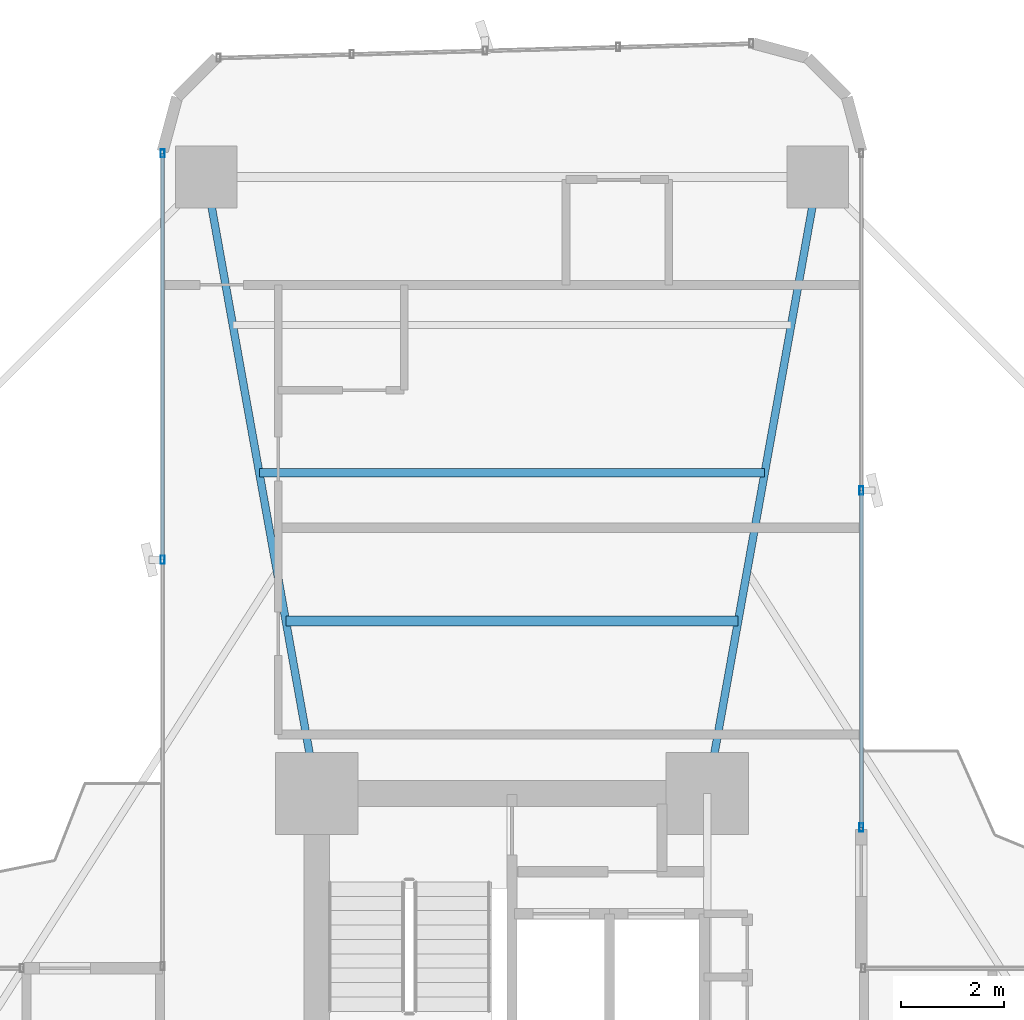
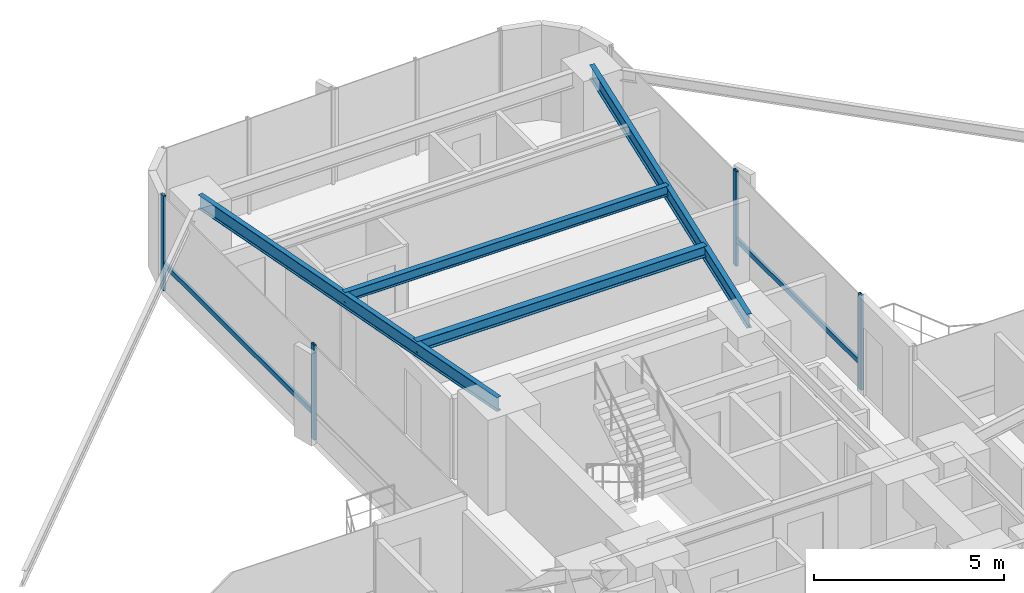
# One storey, part 18 of 26: 6 members, 4 beams, 2 elements without a shape of their own.
"""IFC4 building model written with IfcOpenShell, lengths in metres."""

from ifc_helpers import new_model, si_unit, direction, frame, origin, origin_2d, place, context, subcontext, project, spatial, hollow_rectangle, i_section, extrude, source, transform, mapped, material, material_profile, profile_set, type_object, element, aggregate, save


model = new_model("IFC4")

# Units and contexts
model_context = context("Model", 3, precision=1e-05, world=origin(), true_north=direction((0.0, 1.0)))
body_context = subcontext(model_context, "Body", "Model", "MODEL_VIEW")
ifc_project = project(units=[si_unit("LENGTHUNIT", "METRE"), si_unit("AREAUNIT", "SQUARE_METRE"), si_unit("VOLUMEUNIT", "CUBIC_METRE"), si_unit("PLANEANGLEUNIT", "RADIAN"), si_unit("MASSUNIT", "GRAM", prefix="KILO")], contexts=[model_context])

# Site, building, storey
site_placement = place(None, origin())
site = spatial("IfcSite", under=ifc_project, at=site_placement, CompositionType="ELEMENT")
building_placement = place(site_placement, origin())
building = spatial("IfcBuilding", under=site, at=building_placement, Name="Sahyath Konkavel Grand Hotel", CompositionType="ELEMENT")
storey_placement = place(building_placement, frame((0.0, 0.0, 43.199951171875)))
storey = spatial("IfcBuildingStorey", under=building, at=storey_placement, Name="L11", CompositionType="ELEMENT", Elevation=43.199951171875)

# Beams
ifc_material_1 = material(Name="Steel E350", Category="steel")
ifc_material_profile_1 = material_profile(ifc_material_1, i_section(OverallWidth=0.14990234375, OverallDepth=0.449951171875, WebThickness=0.009521484375, FlangeThickness=0.017333984375, FilletRadius=0.014892578125, at=origin_2d()), Name="ISMB 450")
ifc_profile_set_1 = profile_set([ifc_material_profile_1], Name="Steel E350")
beam_type_1 = type_object("IfcBeamType", Name="BM-ISMB450", PredefinedType="BEAM", material=ifc_profile_set_1)
shared_shape_1 = source(origin(), body_context, "Body", "SweptSolid", [
    extrude(i_section(OverallWidth=0.14990234375, OverallDepth=0.449951171875, WebThickness=0.009521484375, FlangeThickness=0.017333984375, FilletRadius=0.014892578125, at=origin_2d()), origin(), (0.0, 0.0, 1.0), 12.191162109375),
])
for number, where, z_axis, x_axis, name in (
    (1, (3.800048828125, 10.199951171875, 2.824951171875), (0.176350650305, 0.984327409014, 0.0), (-0.984327409014, 0.176350650305, 0.0), "L11 Cruciform Radial Girder NA"),
    (2, (-3.800048828125, 10.199951171875, 2.824951171875), (-0.176350650305, 0.984327409014, 0.0), (-0.984327409014, -0.176350650305, 0.0), "L11 Cruciform Radial Girder NB"),
):
    element("IfcBeam", number, at=place(storey_placement, frame(where, z_axis=z_axis, x_axis=x_axis)), inside=storey, type_object=beam_type_1, Name=name, PredefinedType="BEAM", context=body_context, shape_type="MappedRepresentation", body=[
        mapped(shared_shape_1, transform((0.0, 0.0, 0.0), scale=1.0)),
    ])
ifc_material_profile_2 = material_profile(ifc_material_1, i_section(OverallWidth=0.199951171875, OverallDepth=0.35009765625, WebThickness=0.008056640625, FlangeThickness=0.011474609375, FilletRadius=0.013916015625, at=origin_2d()), Name="ISWB 350")
ifc_profile_set_2 = profile_set([ifc_material_profile_2], Name="Steel E350")
beam_type_2 = type_object("IfcBeamType", Name="BM-ISWB350", PredefinedType="BEAM", material=ifc_profile_set_2)
shared_shape_2 = source(origin(), body_context, "Body", "SweptSolid", [
    extrude(i_section(OverallWidth=0.199951171875, OverallDepth=0.35009765625, WebThickness=0.008056640625, FlangeThickness=0.011474609375, FilletRadius=0.013916015625, at=origin_2d()), origin(), (0.0, 0.0, 1.0), 8.80419921875),
])
beam_1_placement = place(storey_placement, frame((4.402099609375, 13.56005859375, 2.875), z_axis=(-1.0, 0.0, 0.0), x_axis=(0.0, -1.0, 0.0)))
element("IfcBeam", 3, at=beam_1_placement, inside=storey, type_object=beam_type_2, Name="L11 Secondary Floor Beam N-1", PredefinedType="BEAM", context=body_context, shape_type="MappedRepresentation", body=[
    mapped(shared_shape_2, transform((0.0, 0.0, 0.0), scale=1.0)),
])
ifc_material_profile_3 = material_profile(ifc_material_1, i_section(OverallWidth=0.1650390625, OverallDepth=0.324951171875, WebThickness=0.007080078125, FlangeThickness=0.009765625, FilletRadius=0.014892578125, at=origin_2d()), Name="ISLB 325")
ifc_profile_set_3 = profile_set([ifc_material_profile_3], Name="Steel E350")
beam_type_3 = type_object("IfcBeamType", Name="BM-ISLB325", PredefinedType="BEAM", material=ifc_profile_set_3)
shared_shape_3 = source(origin(), body_context, "Body", "SweptSolid", [
    extrude(i_section(OverallWidth=0.1650390625, OverallDepth=0.324951171875, WebThickness=0.007080078125, FlangeThickness=0.009765625, FilletRadius=0.014892578125, at=origin_2d()), origin(), (0.0, 0.0, 1.0), 9.8359375),
])
beam_2_placement = place(storey_placement, frame((4.91796875, 16.43994140625, 2.887451171875), z_axis=(-1.0, 0.0, 0.0), x_axis=(0.0, -1.0, 0.0)))
element("IfcBeam", 4, at=beam_2_placement, inside=storey, type_object=beam_type_3, Name="L11 Secondary Floor Beam N-2", PredefinedType="BEAM", context=body_context, shape_type="MappedRepresentation", body=[
    mapped(shared_shape_3, transform((0.0, 0.0, 0.0), scale=1.0)),
])

# Curtain wall, member
ifc_material_2 = material(Name="Anodised Bronze Aluminium & Low-E Glazing", Category="aluminium")
curtain_wall_type = type_object("IfcCurtainWallType", Name="CW-ZONE1", PredefinedType="NOTDEFINED", material=ifc_material_2)
curtain_wall_1_placement = place(storey_placement, origin())
curtain_wall_1 = element("IfcCurtainWall", 5, at=curtain_wall_1_placement, inside=storey, type_object=curtain_wall_type, Name="L11 Unitised Curtain Wall F15", PredefinedType="NOTDEFINED")
ifc_material_3 = material(Name="Anodised Bronze Aluminium", Category="aluminium")
ifc_material_profile_4 = material_profile(ifc_material_3, hollow_rectangle(XDim=0.080078125, YDim=0.159912109375, WallThickness=0.006103515625, at=origin_2d()), Name="RHS 160x80x6")
ifc_profile_set_4 = profile_set([ifc_material_profile_4], Name="Anodised Bronze Aluminium")
member_type_1 = type_object("IfcMemberType", Name="CW-TRN-160", PredefinedType="USERDEFINED", material=ifc_profile_set_4)
shared_shape_4 = source(origin(), body_context, "Body", "SweptSolid", [
    extrude(hollow_rectangle(XDim=0.080078125, YDim=0.159912109375, WallThickness=0.006103515625, at=origin_2d()), origin(), (0.0, 0.0, 1.0), 7.909912109375),
])
member_1_placement = place(storey_placement, frame((-6.800048828125, 22.659912109375, 0.85009765625), z_axis=(0.0, -1.0, 0.0), x_axis=(1.0, 0.0, 0.0)))
member_1 = element("IfcMember", 6, at=member_1_placement, type_object=member_type_1, Name="L11 Curtain Wall Transom F15-0-spandrel", ObjectType="TRANSOM", PredefinedType="USERDEFINED", context=body_context, shape_type="MappedRepresentation", body=[
    mapped(shared_shape_4, transform((0.0, 0.0, 0.0), scale=1.0)),
])

# Curtain wall, members
curtain_wall_2_placement = place(storey_placement, origin())
curtain_wall_2 = element("IfcCurtainWall", 7, at=curtain_wall_2_placement, inside=storey, type_object=curtain_wall_type, Name="L11 Unitised Curtain Wall F8", PredefinedType="NOTDEFINED")
shared_shape_5 = source(origin(), body_context, "Body", "SweptSolid", [
    extrude(hollow_rectangle(XDim=0.080078125, YDim=0.159912109375, WallThickness=0.006103515625, at=origin_2d()), origin(), (0.0, 0.0, 1.0), 6.56005859375),
])
member_2_placement = place(storey_placement, frame((6.800048828125, 9.5400390625, 0.85009765625), z_axis=(0.0, 1.0, 0.0), x_axis=(-1.0, 0.0, 0.0)))
member_2 = element("IfcMember", 8, at=member_2_placement, type_object=member_type_1, Name="L11 Curtain Wall Transom F8-0-spandrel", ObjectType="TRANSOM", PredefinedType="USERDEFINED", context=body_context, shape_type="MappedRepresentation", body=[
    mapped(shared_shape_5, transform((0.0, 0.0, 0.0), scale=1.0)),
])
ifc_material_profile_5 = material_profile(ifc_material_3, hollow_rectangle(XDim=0.080078125, YDim=0.159912109375, WallThickness=0.006103515625, at=origin_2d()), Name="RHS 160x80x6")
ifc_profile_set_5 = profile_set([ifc_material_profile_5], Name="Anodised Bronze Aluminium")
member_type_2 = type_object("IfcMemberType", Name="CW-MUL-160", PredefinedType="MULLION", material=ifc_profile_set_5)
shared_shape_6 = source(origin(), body_context, "Body", "SweptSolid", [
    extrude(hollow_rectangle(XDim=0.080078125, YDim=0.159912109375, WallThickness=0.006103515625, at=origin_2d()), origin(), (0.0, 0.0, 1.0), 3.050048828125),
])
member_3_placement = place(storey_placement, frame((6.800048828125, 9.5400390625, 0.0), z_axis=(0.0, 0.0, 1.0), x_axis=(1.0, 0.0, 0.0)))
member_3 = element("IfcMember", 9, at=member_3_placement, type_object=member_type_2, Name="L11 Curtain Wall Mullion F8-0", PredefinedType="MULLION", context=body_context, shape_type="MappedRepresentation", body=[
    mapped(shared_shape_6, transform((0.0, 0.0, 0.0), scale=1.0)),
])
member_4_placement = place(storey_placement, frame((6.800048828125, 16.10009765625, 0.0), z_axis=(0.0, 0.0, 1.0), x_axis=(1.0, 0.0, 0.0)))
member_4 = element("IfcMember", 10, at=member_4_placement, type_object=member_type_2, Name="L11 Curtain Wall Mullion F8-1", PredefinedType="MULLION", context=body_context, shape_type="MappedRepresentation", body=[
    mapped(shared_shape_6, transform((0.0, 0.0, 0.0), scale=1.0)),
])
aggregate(curtain_wall_2, [member_3, member_4, member_2])

# Member
member_5_placement = place(storey_placement, frame((-6.800048828125, 22.659912109375, 0.0), z_axis=(0.0, 0.0, 1.0), x_axis=(1.0, 0.0, 0.0)))
member_5 = element("IfcMember", 11, at=member_5_placement, type_object=member_type_2, Name="L11 Curtain Wall Mullion F15-0", PredefinedType="MULLION", context=body_context, shape_type="MappedRepresentation", body=[
    mapped(shared_shape_6, transform((0.0, 0.0, 0.0), scale=1.0)),
])

member_6_placement = place(storey_placement, frame((-6.800048828125, 14.75, 0.0), z_axis=(0.0, 0.0, 1.0), x_axis=(1.0, 0.0, 0.0)))
member_6 = element("IfcMember", 12, at=member_6_placement, type_object=member_type_2, Name="L11 Curtain Wall Mullion F15-1", PredefinedType="MULLION", context=body_context, shape_type="MappedRepresentation", body=[
    mapped(shared_shape_6, transform((0.0, 0.0, 0.0), scale=1.0)),
])

aggregate(curtain_wall_1, [member_5, member_6, member_1])

save(model, "model.ifc")
